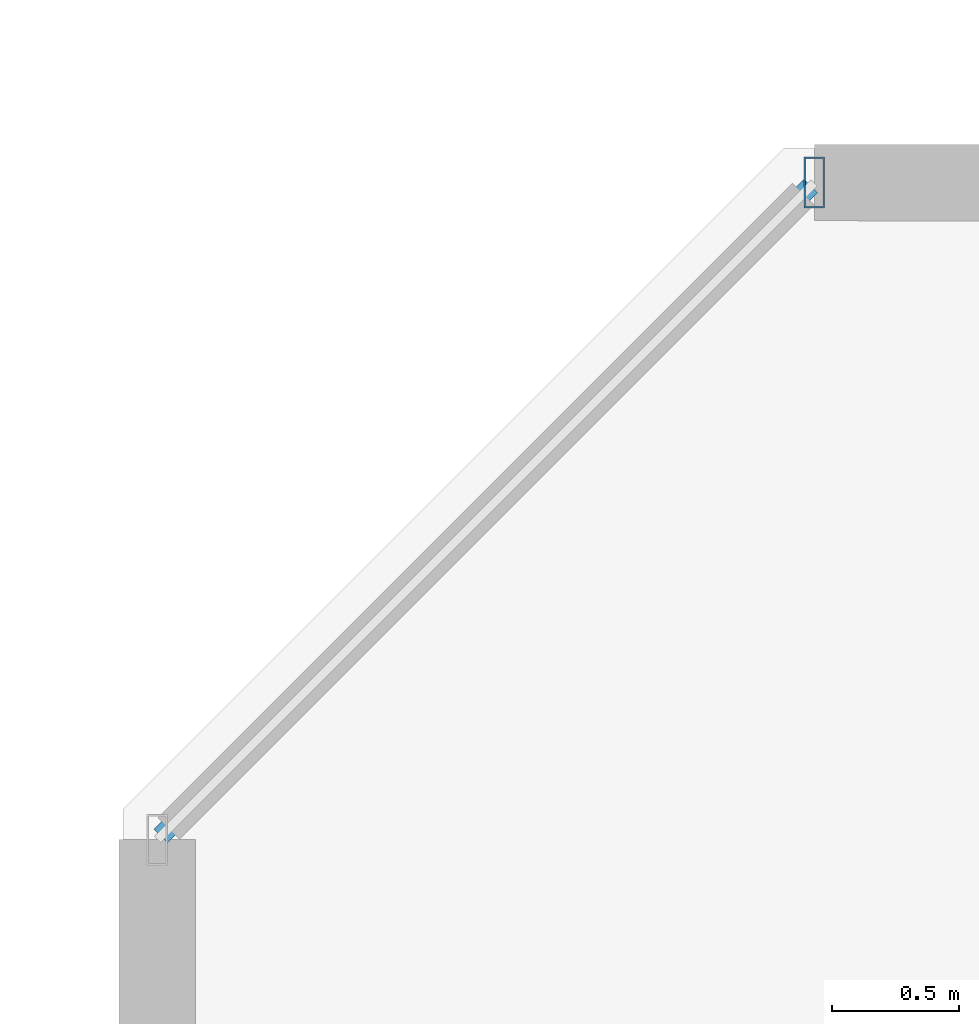
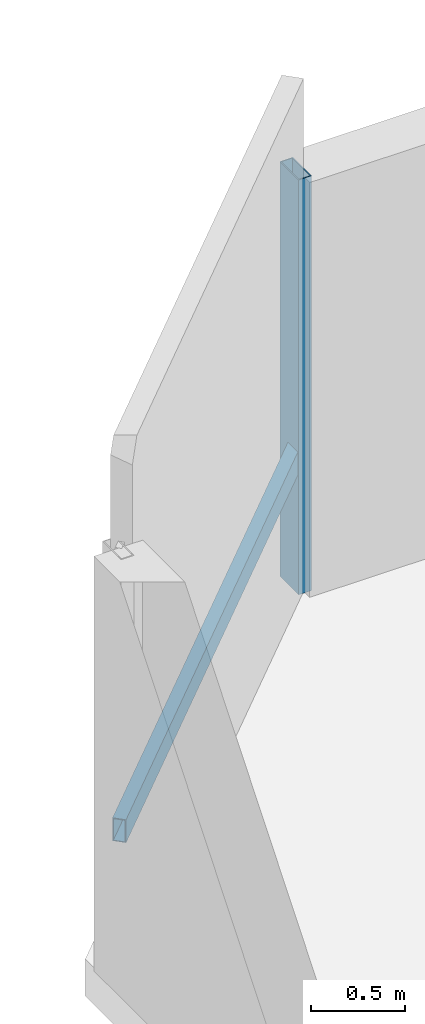
# One storey, part 11 of 33: 2 members, 1 element without a shape of its own.
"""IFC4 building model written with IfcOpenShell, lengths in metres."""

from ifc_helpers import new_model, si_unit, direction, frame, origin, origin_2d, place, context, subcontext, project, spatial, hollow_rectangle, extrude, material, material_profile, profile_set, type_object, element, aggregate, save


model = new_model("IFC4")

# Units and contexts
model_context = context("Model", 3, precision=1e-05, world=origin(), true_north=direction((0.0, 1.0)))
body_context = subcontext(model_context, "Body", "Model", "MODEL_VIEW")
ifc_project = project(units=[si_unit("LENGTHUNIT", "METRE"), si_unit("AREAUNIT", "SQUARE_METRE"), si_unit("VOLUMEUNIT", "CUBIC_METRE"), si_unit("PLANEANGLEUNIT", "RADIAN"), si_unit("MASSUNIT", "GRAM", prefix="KILO")], contexts=[model_context])

# Site, building, storey
site_placement = place(None, origin())
site = spatial("IfcSite", under=ifc_project, at=site_placement, CompositionType="ELEMENT")
building_placement = place(site_placement, origin())
building = spatial("IfcBuilding", under=site, at=building_placement, Name="Thornwick Lancets Civic Towers", CompositionType="ELEMENT")
storey_placement = place(building_placement, frame((0.0, 0.0, 185.699951171875)))
storey = spatial("IfcBuildingStorey", under=building, at=storey_placement, Name="L49", CompositionType="ELEMENT", Elevation=185.699951171875)

# Curtain wall, members
ifc_material_1 = material(Name="Mid-zone chamfered-corner unitised glass curtain wall", Category="glass")
curtain_wall_type = type_object("IfcCurtainWallType", Name="CW_SYS_04", PredefinedType="NOTDEFINED", material=ifc_material_1)
curtain_wall_placement = place(storey_placement, origin())
curtain_wall = element("IfcCurtainWall", 1, at=curtain_wall_placement, inside=storey, type_object=curtain_wall_type, Name="L49 Curtain Wall CW-L49-B-E5", PredefinedType="NOTDEFINED")
ifc_material_2 = material(Name="Thermally broken bronze aluminium S355", Category="steel")
ifc_material_profile_1 = material_profile(ifc_material_2, hollow_rectangle(XDim=0.080078125, YDim=0.199951171875, WallThickness=0.006103515625, at=origin_2d()), Name="RHS 200x80x6")
ifc_profile_set_1 = profile_set([ifc_material_profile_1], Name="Thermally broken bronze aluminium S355")
member_type_1 = type_object("IfcMemberType", Name="CW_MUL_200", PredefinedType="MULLION", material=ifc_profile_set_1)
member_1_placement = place(storey_placement, frame((67.318603515625, 50.7646484375, 0.0), z_axis=(0.0, 0.0, 1.0), x_axis=(1.0, 0.0, 0.0)))
member_1 = element("IfcMember", 2, at=member_1_placement, type_object=member_type_1, Name="CW-L49-B-E5 Mullion 0", PredefinedType="MULLION", context=body_context, shape_type="SweptSolid", body=[
    extrude(hollow_rectangle(XDim=0.080078125, YDim=0.199951171875, WallThickness=0.006103515625, at=origin_2d()), origin(), (0.0, 0.0, 1.0), 2.699951171875),
])
ifc_material_profile_2 = material_profile(ifc_material_2, hollow_rectangle(XDim=0.074951171875, YDim=0.14990234375, WallThickness=0.0048828125, at=origin_2d()), Name="RHS 150x75x5")
ifc_profile_set_2 = profile_set([ifc_material_profile_2], Name="Thermally broken bronze aluminium S355")
member_type_2 = type_object("IfcMemberType", Name="CW_TRN_150", PredefinedType="USERDEFINED", material=ifc_profile_set_2)
member_2_placement = place(storey_placement, frame((67.304443359375, 50.75048828125, 0.85009765625), z_axis=(-0.707106781187, -0.707106781187, 0.0), x_axis=(0.707106781187, -0.707106781187, 0.0)))
member_2 = element("IfcMember", 3, at=member_2_placement, type_object=member_type_2, Name="CW-L49-B-E5 Transom 0", ObjectType="TRANSOM", PredefinedType="USERDEFINED", context=body_context, shape_type="SweptSolid", body=[
    extrude(hollow_rectangle(XDim=0.074951171875, YDim=0.14990234375, WallThickness=0.0048828125, at=origin_2d()), origin(), (0.0, 0.0, 1.0), 3.61328125),
])
aggregate(curtain_wall, [member_1, member_2])

save(model, "model.ifc")
